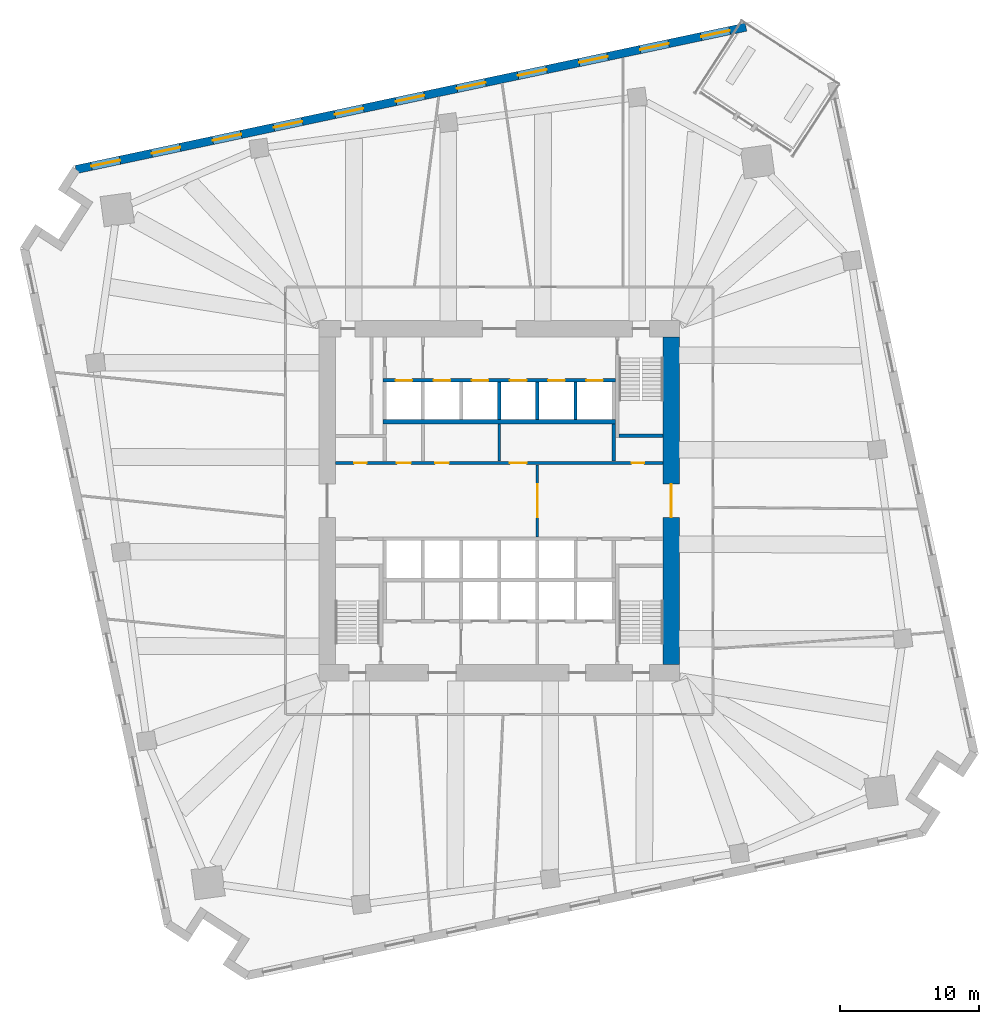
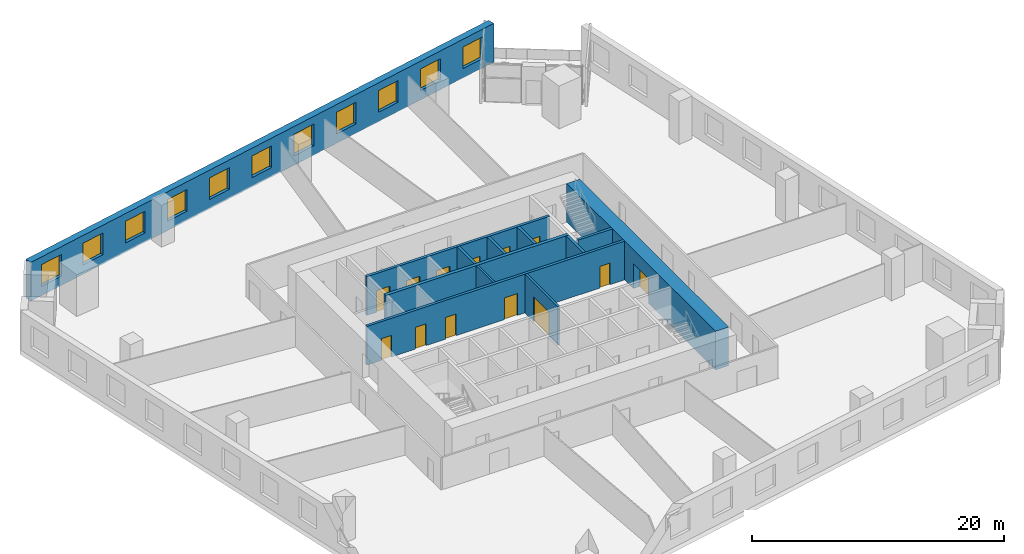
# One storey, part 6 of 10: 13 doors, 12 walls, 11 windows, 24 openings.
"""IFC4 building model written with IfcOpenShell, lengths in metres."""

from ifc_helpers import new_model, si_unit, direction, frame, frame_2d, origin, place, context, subcontext, project, spatial, rectangle, extrude, material, layer, layer_set, type_object, element, fill, save


model = new_model("IFC4")

# Units and contexts
model_context = context("Model", 3, precision=1e-05, world=origin(), true_north=direction((0.0, 1.0)))
body_context = subcontext(model_context, "Body", "Model", "MODEL_VIEW")
ifc_project = project(units=[si_unit("LENGTHUNIT", "METRE"), si_unit("AREAUNIT", "SQUARE_METRE"), si_unit("VOLUMEUNIT", "CUBIC_METRE"), si_unit("PLANEANGLEUNIT", "RADIAN"), si_unit("MASSUNIT", "GRAM", prefix="KILO")], contexts=[model_context])

# Site, building, storey
site_placement = place(None, origin())
site = spatial("IfcSite", under=ifc_project, at=site_placement, CompositionType="ELEMENT")
building_placement = place(site_placement, origin())
building = spatial("IfcBuilding", under=site, at=building_placement, Name="Dilmun Exchange Tower", CompositionType="ELEMENT")
storey_placement = place(building_placement, frame((0.0, 0.0, 68.10009765625)))
storey = spatial("IfcBuildingStorey", under=building, at=storey_placement, Name="L15", CompositionType="ELEMENT", Elevation=68.10009765625)

# Wall, opening, door
ifc_material_1 = material(Name="Concrete C40/50", Category="concrete")
ifc_layer_1 = layer(ifc_material_1, 0.199951171875)
ifc_layer_set_1 = layer_set([ifc_layer_1], Name="Concrete C40/50")
wall_type_1 = type_object("IfcWallType", Name="Core partition wall 200", PredefinedType="PARTITIONING", material=ifc_layer_set_1)
wall_1_placement = place(storey_placement, frame((2.75, -2.594970703125, 0.0), z_axis=(0.0, 0.0, 1.0), x_axis=(0.0, 1.0, 0.0)))
wall_1 = element("IfcWall", 1, at=wall_1_placement, inside=storey, type_object=wall_type_1, Name="L15 core partition wall 09", PredefinedType="PARTITIONING", context=body_context, shape_type="SweptSolid", body=[
    extrude(rectangle(XDim=5.18994140625, YDim=0.199951171875, at=frame_2d((2.594970703125, 0.0))), origin(), (0.0, 0.0, 1.0), 3.75),
])
opening_1_placement = place(wall_1_placement, frame((1.39501953125, 0.0, 0.0)))
opening_1 = element("IfcOpeningElement", 2, at=opening_1_placement, cuts=wall_1, Name="Opening CD1", PredefinedType="OPENING", context=body_context, shape_type="SweptSolid", body=[
    extrude(rectangle(XDim=2.39990234375, YDim=2.39990234375, at=frame_2d((1.199951171875, 1.199951171875))), frame((0.0, 0.10986328125, 0.0), z_axis=(0.0, -1.0, 0.0), x_axis=(1.0, 0.0, 0.0)), (0.0, 0.0, 1.0), 0.219970703125),
])
ifc_material_2 = material(Name="Fire-rated steel door set", Category="steel")
door_type_1 = type_object("IfcDoorType", Name="Core lobby door 2400x2400", OperationType="DOUBLE_DOOR_DOUBLE_SWING", PredefinedType="DOOR", material=ifc_material_2)
door_1_placement = place(opening_1_placement, origin())
door_1 = element("IfcDoor", 3, at=door_1_placement, inside=storey, type_object=door_type_1, Name="L15 door Lift lobby east", OperationType="DOUBLE_DOOR_DOUBLE_SWING", OverallHeight=2.39990234375, OverallWidth=2.39990234375, PredefinedType="DOOR", context=body_context, shape_type="SweptSolid", body=[
    extrude(rectangle(XDim=2.39990234375, YDim=2.39990234375, at=frame_2d((1.199951171875, 1.199951171875))), frame((0.0, 0.02490234375, 0.0), z_axis=(0.0, -1.0, 0.0), x_axis=(1.0, 0.0, 0.0)), (0.0, 0.0, 1.0), 0.050048828125),
])
fill(opening_1, door_1)

# Wall
wall_2_placement = place(storey_placement, frame((0.0, 2.85498046875, 0.0), z_axis=(0.0, 0.0, 1.0), x_axis=(0.0, 1.0, 0.0)))
element("IfcWall", 4, at=wall_2_placement, inside=storey, type_object=wall_type_1, Name="L15 core partition wall 13", PredefinedType="PARTITIONING", context=body_context, shape_type="SweptSolid", body=[
    extrude(rectangle(XDim=2.68994140625, YDim=0.199951171875, at=frame_2d((1.344970703125, 0.0))), origin(), (0.0, 0.0, 1.0), 3.75),
])

# Wall, openings, doors
ifc_layer_2 = layer(ifc_material_1, 0.25)
ifc_layer_set_2 = layer_set([ifc_layer_2], Name="Concrete C40/50")
wall_type_2 = type_object("IfcWallType", Name="Core partition wall 250", PredefinedType="PARTITIONING", material=ifc_layer_set_2)
wall_3_placement = place(storey_placement, frame((-11.794921875, 2.72509765625, 0.0), z_axis=(0.0, 0.0, 1.0), x_axis=(1.0, 0.0, 0.0)))
wall_3 = element("IfcWall", 5, at=wall_3_placement, inside=storey, type_object=wall_type_2, Name="L15 core partition wall 10", PredefinedType="PARTITIONING", context=body_context, shape_type="SweptSolid", body=[
    extrude(rectangle(XDim=23.58984375, YDim=0.25, at=frame_2d((11.794921875, 0.0))), origin(), (0.0, 0.0, 1.0), 3.75),
])
opening_2_placement = place(wall_3_placement, frame((21.344970703125, 0.0, 0.0)))
opening_2 = element("IfcOpeningElement", 6, at=opening_2_placement, cuts=wall_3, Name="Opening CD6", PredefinedType="OPENING", context=body_context, shape_type="SweptSolid", body=[
    extrude(rectangle(XDim=0.89990234375, YDim=2.10009765625, at=frame_2d((0.449951171875, 1.050048828125))), frame((0.0, 0.135009765625, 0.0), z_axis=(0.0, -1.0, 0.0), x_axis=(1.0, 0.0, 0.0)), (0.0, 0.0, 1.0), 0.27001953125),
])
opening_3_placement = place(wall_3_placement, frame((1.344970703125, 0.0, 0.0)))
opening_3 = element("IfcOpeningElement", 7, at=opening_3_placement, cuts=wall_3, Name="Opening CD6", PredefinedType="OPENING", context=body_context, shape_type="SweptSolid", body=[
    extrude(rectangle(XDim=0.89990234375, YDim=2.10009765625, at=frame_2d((0.449951171875, 1.050048828125))), frame((0.0, 0.135009765625, 0.0), z_axis=(0.0, -1.0, 0.0), x_axis=(1.0, 0.0, 0.0)), (0.0, 0.0, 1.0), 0.27001953125),
])
opening_4_placement = place(wall_3_placement, frame((4.419921875, 0.0, 0.0)))
opening_4 = element("IfcOpeningElement", 8, at=opening_4_placement, cuts=wall_3, Name="Opening CD4", PredefinedType="OPENING", context=body_context, shape_type="SweptSolid", body=[
    extrude(rectangle(XDim=1.0, YDim=2.10009765625, at=frame_2d((0.5, 1.050048828125))), frame((0.0, 0.135009765625, 0.0), z_axis=(0.0, -1.0, 0.0), x_axis=(1.0, 0.0, 0.0)), (0.0, 0.0, 1.0), 0.27001953125),
])
opening_5_placement = place(wall_3_placement, frame((7.169921875, 0.0, 0.0)))
opening_5 = element("IfcOpeningElement", 9, at=opening_5_placement, cuts=wall_3, Name="Opening CD4", PredefinedType="OPENING", context=body_context, shape_type="SweptSolid", body=[
    extrude(rectangle(XDim=1.0, YDim=2.10009765625, at=frame_2d((0.5, 1.050048828125))), frame((0.0, 0.135009765625, 0.0), z_axis=(0.0, -1.0, 0.0), x_axis=(1.0, 0.0, 0.0)), (0.0, 0.0, 1.0), 0.27001953125),
])
opening_6_placement = place(wall_3_placement, frame((12.570068359375, 0.0, 0.0)))
opening_6 = element("IfcOpeningElement", 10, at=opening_6_placement, cuts=wall_3, Name="Opening CD3", PredefinedType="OPENING", context=body_context, shape_type="SweptSolid", body=[
    extrude(rectangle(XDim=1.199951171875, YDim=2.10009765625, at=frame_2d((0.60009765625, 1.050048828125))), frame((0.0, 0.135009765625, 0.0), z_axis=(0.0, -1.0, 0.0), x_axis=(1.0, 0.0, 0.0)), (0.0, 0.0, 1.0), 0.27001953125),
])
door_type_2 = type_object("IfcDoorType", Name="Core room door 1000x2100", OperationType="SINGLE_SWING_LEFT", PredefinedType="DOOR", material=ifc_material_2)
door_2_placement = place(opening_4_placement, origin())
door_2 = element("IfcDoor", 11, at=door_2_placement, inside=storey, type_object=door_type_2, Name="L15 door Pantry", OperationType="SINGLE_SWING_RIGHT", OverallHeight=2.10009765625, OverallWidth=1.0, PredefinedType="DOOR", context=body_context, shape_type="SweptSolid", body=[
    extrude(rectangle(XDim=1.0, YDim=2.10009765625, at=frame_2d((0.5, 1.050048828125))), frame((0.0, 0.02490234375, 0.0), z_axis=(0.0, -1.0, 0.0), x_axis=(1.0, 0.0, 0.0)), (0.0, 0.0, 1.0), 0.050048828125),
])
fill(opening_4, door_2)
door_3_placement = place(opening_5_placement, origin())
door_3 = element("IfcDoor", 12, at=door_3_placement, inside=storey, type_object=door_type_2, Name="L15 door Switch room", OperationType="SINGLE_SWING_RIGHT", OverallHeight=2.10009765625, OverallWidth=1.0, PredefinedType="DOOR", context=body_context, shape_type="SweptSolid", body=[
    extrude(rectangle(XDim=1.0, YDim=2.10009765625, at=frame_2d((0.5, 1.050048828125))), frame((0.0, 0.02490234375, 0.0), z_axis=(0.0, -1.0, 0.0), x_axis=(1.0, 0.0, 0.0)), (0.0, 0.0, 1.0), 0.050048828125),
])
fill(opening_5, door_3)
door_type_3 = type_object("IfcDoorType", Name="Core room door 900x2100", OperationType="SINGLE_SWING_LEFT", PredefinedType="DOOR", material=ifc_material_2)
door_4_placement = place(opening_2_placement, origin())
door_4 = element("IfcDoor", 13, at=door_4_placement, inside=storey, type_object=door_type_3, Name="L15 door Electrical riser", OperationType="SINGLE_SWING_RIGHT", OverallHeight=2.10009765625, OverallWidth=0.89990234375, PredefinedType="DOOR", context=body_context, shape_type="SweptSolid", body=[
    extrude(rectangle(XDim=0.89990234375, YDim=2.10009765625, at=frame_2d((0.449951171875, 1.050048828125))), frame((0.0, 0.02490234375, 0.0), z_axis=(0.0, -1.0, 0.0), x_axis=(1.0, 0.0, 0.0)), (0.0, 0.0, 1.0), 0.050048828125),
])
fill(opening_2, door_4)
door_5_placement = place(opening_3_placement, origin())
door_5 = element("IfcDoor", 14, at=door_5_placement, inside=storey, type_object=door_type_3, Name="L15 door Plumbing riser", OperationType="SINGLE_SWING_RIGHT", OverallHeight=2.10009765625, OverallWidth=0.89990234375, PredefinedType="DOOR", context=body_context, shape_type="SweptSolid", body=[
    extrude(rectangle(XDim=0.89990234375, YDim=2.10009765625, at=frame_2d((0.449951171875, 1.050048828125))), frame((0.0, 0.02490234375, 0.0), z_axis=(0.0, -1.0, 0.0), x_axis=(1.0, 0.0, 0.0)), (0.0, 0.0, 1.0), 0.050048828125),
])
fill(opening_3, door_5)
door_type_4 = type_object("IfcDoorType", Name="Stair exit door 1200x2100", OperationType="SINGLE_SWING_LEFT", PredefinedType="DOOR", material=ifc_material_2)
door_6_placement = place(opening_6_placement, origin())
door_6 = element("IfcDoor", 15, at=door_6_placement, inside=storey, type_object=door_type_4, Name="L15 door Quiet working room", OperationType="SINGLE_SWING_LEFT", OverallHeight=2.10009765625, OverallWidth=1.199951171875, PredefinedType="DOOR", context=body_context, shape_type="SweptSolid", body=[
    extrude(rectangle(XDim=1.199951171875, YDim=2.10009765625, at=frame_2d((0.60009765625, 1.050048828125))), frame((0.0, 0.02490234375, 0.0), z_axis=(0.0, -1.0, 0.0), x_axis=(1.0, 0.0, 0.0)), (0.0, 0.0, 1.0), 0.050048828125),
])
fill(opening_6, door_6)

# Wall
wall_4_placement = place(storey_placement, frame((8.25, 2.85498046875, 0.0), z_axis=(0.0, 0.0, 1.0), x_axis=(0.0, 1.0, 0.0)))
element("IfcWall", 16, at=wall_4_placement, inside=storey, type_object=wall_type_2, Name="L15 core partition wall 14", PredefinedType="PARTITIONING", context=body_context, shape_type="SweptSolid", body=[
    extrude(rectangle(XDim=2.68994140625, YDim=0.25, at=frame_2d((1.344970703125, 0.0))), origin(), (0.0, 0.0, 1.0), 3.75),
])

# Wall, opening, door
ifc_material_3 = material(Name="Concrete C80/95", Category="concrete")
ifc_layer_3 = layer(ifc_material_3, 1.199951171875)
ifc_layer_set_3 = layer_set([ifc_layer_3], Name="Concrete C80/95")
wall_type_3 = type_object("IfcWallType", Name="Core shear wall 1200 Concrete C80/95", PredefinedType="SHEAR", material=ifc_layer_set_3)
wall_5_placement = place(storey_placement, frame((12.39990234375, -11.800048828125, 0.0), z_axis=(0.0, 0.0, 1.0), x_axis=(0.0, 1.0, 0.0)))
wall_5 = element("IfcWall", 17, at=wall_5_placement, inside=storey, type_object=wall_type_3, Name="L15 core shear wall E", PredefinedType="SHEAR", context=body_context, shape_type="SweptSolid", body=[
    extrude(rectangle(XDim=23.60009765625, YDim=1.199951171875, at=frame_2d((11.800048828125, 0.0))), origin(), (0.0, 0.0, 1.0), 3.75),
])
opening_7_placement = place(wall_5_placement, frame((10.60009765625, 0.0, 0.0)))
opening_7 = element("IfcOpeningElement", 18, at=opening_7_placement, cuts=wall_5, Name="Opening CD1", PredefinedType="OPENING", context=body_context, shape_type="SweptSolid", body=[
    extrude(rectangle(XDim=2.39990234375, YDim=2.39990234375, at=frame_2d((1.199951171875, 1.199951171875))), frame((0.0, 0.60986328125, 0.0), z_axis=(0.0, -1.0, 0.0), x_axis=(1.0, 0.0, 0.0)), (0.0, 0.0, 1.0), 1.219970703125),
])
door_7_placement = place(opening_7_placement, origin())
door_7 = element("IfcDoor", 19, at=door_7_placement, inside=storey, type_object=door_type_1, Name="L15 door Central lift lobby", OperationType="SINGLE_SWING_LEFT", OverallHeight=2.39990234375, OverallWidth=2.39990234375, PredefinedType="DOOR", context=body_context, shape_type="SweptSolid", body=[
    extrude(rectangle(XDim=2.39990234375, YDim=2.39990234375, at=frame_2d((1.199951171875, 1.199951171875))), frame((0.0, 0.02490234375, 0.0), z_axis=(0.0, -1.0, 0.0), x_axis=(1.0, 0.0, 0.0)), (0.0, 0.0, 1.0), 0.050048828125),
])
fill(opening_7, door_7)

# Wall
ifc_layer_4 = layer(ifc_material_1, 0.300048828125)
ifc_layer_set_4 = layer_set([ifc_layer_4], Name="Concrete C40/50")
wall_type_4 = type_object("IfcWallType", Name="Lift shaft shared wall 300", PredefinedType="SOLIDWALL", material=ifc_layer_set_4)
wall_6_placement = place(storey_placement, frame((-8.375, 5.699951171875, 0.0), z_axis=(0.0, 0.0, 1.0), x_axis=(1.0, 0.0, 0.0)))
element("IfcWall", 20, at=wall_6_placement, inside=storey, type_object=wall_type_4, Name="L15 lift shaft rear wall N", PredefinedType="SOLIDWALL", context=body_context, shape_type="SweptSolid", body=[
    extrude(rectangle(XDim=16.75, YDim=0.300048828125, at=frame_2d((8.375, 0.0))), origin(), (0.0, 0.0, 1.0), 3.75),
])

# Wall, openings, doors
ifc_layer_5 = layer(ifc_material_1, 0.25)
ifc_layer_set_5 = layer_set([ifc_layer_5], Name="Concrete C40/50")
wall_type_5 = type_object("IfcWallType", Name="Lift shaft wall 250", PredefinedType="SOLIDWALL", material=ifc_layer_set_5)
wall_7_placement = place(storey_placement, frame((-8.375, 8.675048828125, 0.0), z_axis=(0.0, 0.0, 1.0), x_axis=(1.0, 0.0, 0.0)))
wall_7 = element("IfcWall", 21, at=wall_7_placement, inside=storey, type_object=wall_type_5, Name="L15 lift shaft front wall N2", PredefinedType="SOLIDWALL", context=body_context, shape_type="SweptSolid", body=[
    extrude(rectangle(XDim=16.75, YDim=0.25, at=frame_2d((8.375, 0.0))), origin(), (0.0, 0.0, 1.0), 3.75),
])
opening_8_placement = place(wall_7_placement, frame((0.89990234375, 0.0, 0.0)))
opening_8 = element("IfcOpeningElement", 22, at=opening_8_placement, cuts=wall_7, Name="Opening LD", PredefinedType="OPENING", context=body_context, shape_type="SweptSolid", body=[
    extrude(rectangle(XDim=1.199951171875, YDim=2.10009765625, at=frame_2d((0.60009765625, 1.050048828125))), frame((0.0, 0.135009765625, 0.0), z_axis=(0.0, -1.0, 0.0), x_axis=(1.0, 0.0, 0.0)), (0.0, 0.0, 1.0), 0.27001953125),
])
opening_9_placement = place(wall_7_placement, frame((3.64990234375, 0.0, 0.0)))
opening_9 = element("IfcOpeningElement", 23, at=opening_9_placement, cuts=wall_7, Name="Opening LD", PredefinedType="OPENING", context=body_context, shape_type="SweptSolid", body=[
    extrude(rectangle(XDim=1.199951171875, YDim=2.10009765625, at=frame_2d((0.60009765625, 1.050048828125))), frame((0.0, 0.135009765625, 0.0), z_axis=(0.0, -1.0, 0.0), x_axis=(1.0, 0.0, 0.0)), (0.0, 0.0, 1.0), 0.27001953125),
])
opening_10_placement = place(wall_7_placement, frame((6.39990234375, 0.0, 0.0)))
opening_10 = element("IfcOpeningElement", 24, at=opening_10_placement, cuts=wall_7, Name="Opening LD", PredefinedType="OPENING", context=body_context, shape_type="SweptSolid", body=[
    extrude(rectangle(XDim=1.199951171875, YDim=2.10009765625, at=frame_2d((0.60009765625, 1.050048828125))), frame((0.0, 0.135009765625, 0.0), z_axis=(0.0, -1.0, 0.0), x_axis=(1.0, 0.0, 0.0)), (0.0, 0.0, 1.0), 0.27001953125),
])
opening_11_placement = place(wall_7_placement, frame((9.14990234375, 0.0, 0.0)))
opening_11 = element("IfcOpeningElement", 25, at=opening_11_placement, cuts=wall_7, Name="Opening LD", PredefinedType="OPENING", context=body_context, shape_type="SweptSolid", body=[
    extrude(rectangle(XDim=1.199951171875, YDim=2.10009765625, at=frame_2d((0.60009765625, 1.050048828125))), frame((0.0, 0.135009765625, 0.0), z_axis=(0.0, -1.0, 0.0), x_axis=(1.0, 0.0, 0.0)), (0.0, 0.0, 1.0), 0.27001953125),
])
opening_12_placement = place(wall_7_placement, frame((11.89990234375, 0.0, 0.0)))
opening_12 = element("IfcOpeningElement", 26, at=opening_12_placement, cuts=wall_7, Name="Opening LD", PredefinedType="OPENING", context=body_context, shape_type="SweptSolid", body=[
    extrude(rectangle(XDim=1.199951171875, YDim=2.10009765625, at=frame_2d((0.60009765625, 1.050048828125))), frame((0.0, 0.135009765625, 0.0), z_axis=(0.0, -1.0, 0.0), x_axis=(1.0, 0.0, 0.0)), (0.0, 0.0, 1.0), 0.27001953125),
])
opening_13_placement = place(wall_7_placement, frame((14.64990234375, 0.0, 0.0)))
opening_13 = element("IfcOpeningElement", 27, at=opening_13_placement, cuts=wall_7, Name="Opening LD", PredefinedType="OPENING", context=body_context, shape_type="SweptSolid", body=[
    extrude(rectangle(XDim=1.199951171875, YDim=2.10009765625, at=frame_2d((0.60009765625, 1.050048828125))), frame((0.0, 0.135009765625, 0.0), z_axis=(0.0, -1.0, 0.0), x_axis=(1.0, 0.0, 0.0)), (0.0, 0.0, 1.0), 0.27001953125),
])
door_type_5 = type_object("IfcDoorType", Name="Lift landing door 1200x2100", OperationType="DOUBLE_DOOR_SLIDING", PredefinedType="DOOR", material=ifc_material_2)
door_8_placement = place(opening_8_placement, origin())
door_8 = element("IfcDoor", 28, at=door_8_placement, inside=storey, type_object=door_type_5, Name="L15 landing door LR1", OperationType="DOUBLE_DOOR_SLIDING", OverallHeight=2.10009765625, OverallWidth=1.199951171875, PredefinedType="DOOR", context=body_context, shape_type="SweptSolid", body=[
    extrude(rectangle(XDim=1.199951171875, YDim=2.10009765625, at=frame_2d((0.60009765625, 1.050048828125))), frame((0.0, 0.02490234375, 0.0), z_axis=(0.0, -1.0, 0.0), x_axis=(1.0, 0.0, 0.0)), (0.0, 0.0, 1.0), 0.050048828125),
])
fill(opening_8, door_8)
door_9_placement = place(opening_9_placement, origin())
door_9 = element("IfcDoor", 29, at=door_9_placement, inside=storey, type_object=door_type_5, Name="L15 landing door LR2", OperationType="DOUBLE_DOOR_SLIDING", OverallHeight=2.10009765625, OverallWidth=1.199951171875, PredefinedType="DOOR", context=body_context, shape_type="SweptSolid", body=[
    extrude(rectangle(XDim=1.199951171875, YDim=2.10009765625, at=frame_2d((0.60009765625, 1.050048828125))), frame((0.0, 0.02490234375, 0.0), z_axis=(0.0, -1.0, 0.0), x_axis=(1.0, 0.0, 0.0)), (0.0, 0.0, 1.0), 0.050048828125),
])
fill(opening_9, door_9)
door_10_placement = place(opening_10_placement, origin())
door_10 = element("IfcDoor", 30, at=door_10_placement, inside=storey, type_object=door_type_5, Name="L15 landing door LR3", OperationType="DOUBLE_DOOR_SLIDING", OverallHeight=2.10009765625, OverallWidth=1.199951171875, PredefinedType="DOOR", context=body_context, shape_type="SweptSolid", body=[
    extrude(rectangle(XDim=1.199951171875, YDim=2.10009765625, at=frame_2d((0.60009765625, 1.050048828125))), frame((0.0, 0.02490234375, 0.0), z_axis=(0.0, -1.0, 0.0), x_axis=(1.0, 0.0, 0.0)), (0.0, 0.0, 1.0), 0.050048828125),
])
fill(opening_10, door_10)
door_11_placement = place(opening_11_placement, origin())
door_11 = element("IfcDoor", 31, at=door_11_placement, inside=storey, type_object=door_type_5, Name="L15 landing door LR4", OperationType="DOUBLE_DOOR_SLIDING", OverallHeight=2.10009765625, OverallWidth=1.199951171875, PredefinedType="DOOR", context=body_context, shape_type="SweptSolid", body=[
    extrude(rectangle(XDim=1.199951171875, YDim=2.10009765625, at=frame_2d((0.60009765625, 1.050048828125))), frame((0.0, 0.02490234375, 0.0), z_axis=(0.0, -1.0, 0.0), x_axis=(1.0, 0.0, 0.0)), (0.0, 0.0, 1.0), 0.050048828125),
])
fill(opening_11, door_11)
door_12_placement = place(opening_12_placement, origin())
door_12 = element("IfcDoor", 32, at=door_12_placement, inside=storey, type_object=door_type_5, Name="L15 landing door LR5", OperationType="DOUBLE_DOOR_SLIDING", OverallHeight=2.10009765625, OverallWidth=1.199951171875, PredefinedType="DOOR", context=body_context, shape_type="SweptSolid", body=[
    extrude(rectangle(XDim=1.199951171875, YDim=2.10009765625, at=frame_2d((0.60009765625, 1.050048828125))), frame((0.0, 0.02490234375, 0.0), z_axis=(0.0, -1.0, 0.0), x_axis=(1.0, 0.0, 0.0)), (0.0, 0.0, 1.0), 0.050048828125),
])
fill(opening_12, door_12)
door_13_placement = place(opening_13_placement, origin())
door_13 = element("IfcDoor", 33, at=door_13_placement, inside=storey, type_object=door_type_5, Name="L15 landing door LR6", OperationType="DOUBLE_DOOR_SLIDING", OverallHeight=2.10009765625, OverallWidth=1.199951171875, PredefinedType="DOOR", context=body_context, shape_type="SweptSolid", body=[
    extrude(rectangle(XDim=1.199951171875, YDim=2.10009765625, at=frame_2d((0.60009765625, 1.050048828125))), frame((0.0, 0.02490234375, 0.0), z_axis=(0.0, -1.0, 0.0), x_axis=(1.0, 0.0, 0.0)), (0.0, 0.0, 1.0), 0.050048828125),
])
fill(opening_13, door_13)

# Walls
for number, where, z_axis, x_axis, name in (
    (34, (0.0, 5.85009765625, 0.0), (0.0, 0.0, 1.0), (0.0, 1.0, 0.0), "L15 lift shaft divider N23"),
    (35, (2.75, 5.85009765625, 0.0), (0.0, 0.0, 1.0), (0.0, 1.0, 0.0), "L15 lift shaft divider N24"),
    (36, (5.5, 5.85009765625, 0.0), (0.0, 0.0, 1.0), (0.0, 1.0, 0.0), "L15 lift shaft divider N25"),
):
    element("IfcWall", number, at=place(storey_placement, frame(where, z_axis=z_axis, x_axis=x_axis)), inside=storey, type_object=wall_type_5, Name=name, PredefinedType="SOLIDWALL", context=body_context, shape_type="SweptSolid", body=[
        extrude(rectangle(XDim=2.699951171875, YDim=0.25, at=frame_2d((1.35009765625, 0.0))), origin(), (0.0, 0.0, 1.0), 3.75),
    ])

# Wall, openings, windows
ifc_material_4 = material(Name="Precast concrete C50/60", Category="concrete")
ifc_layer_6 = layer(ifc_material_4, 0.60009765625)
ifc_layer_set_6 = layer_set([ifc_layer_6], Name="Precast concrete C50/60")
wall_type_6 = type_object("IfcWallType", Name="Precast stone-clad wall 600", PredefinedType="STANDARD", material=ifc_layer_set_6)
wall_8_placement = place(storey_placement, frame((17.78955078125, 34.144775390625, 0.0), z_axis=(0.0, 0.0, 1.0), x_axis=(-0.978147175075, -0.207913693376, 0.0)))
wall_8 = element("IfcWall", 37, at=wall_8_placement, inside=storey, type_object=wall_type_6, Name="Facade wall L15-03", PredefinedType="STANDARD", context=body_context, shape_type="SweptSolid", body=[
    extrude(rectangle(XDim=49.375732421875, YDim=0.60009765625, at=frame_2d((24.68798828125, 0.0))), origin(), (0.0, 0.0, 1.0), 3.75),
])
opening_14_placement = place(wall_8_placement, frame((1.199951171875, 0.0, 0.89990234375)))
opening_14 = element("IfcOpeningElement", 38, at=opening_14_placement, cuts=wall_8, Name="Opening W210-210", PredefinedType="OPENING", context=body_context, shape_type="SweptSolid", body=[
    extrude(rectangle(XDim=2.10009765625, YDim=2.10009765625, at=frame_2d((1.050048828125, 1.050048828125))), frame((0.0, 0.31005859375, 0.0), z_axis=(0.0, -1.0, 0.0), x_axis=(1.0, 0.0, 0.0)), (0.0, 0.0, 1.0), 0.6201171875),
])
opening_15_placement = place(wall_8_placement, frame((5.699951171875, 0.0, 0.89990234375)))
opening_15 = element("IfcOpeningElement", 39, at=opening_15_placement, cuts=wall_8, Name="Opening W210-210", PredefinedType="OPENING", context=body_context, shape_type="SweptSolid", body=[
    extrude(rectangle(XDim=2.10009765625, YDim=2.10009765625, at=frame_2d((1.050048828125, 1.050048828125))), frame((0.0, 0.31005859375, 0.0), z_axis=(0.0, -1.0, 0.0), x_axis=(1.0, 0.0, 0.0)), (0.0, 0.0, 1.0), 0.6201171875),
])
opening_16_placement = place(wall_8_placement, frame((10.199951171875, 0.0, 0.89990234375)))
opening_16 = element("IfcOpeningElement", 40, at=opening_16_placement, cuts=wall_8, Name="Opening W210-210", PredefinedType="OPENING", context=body_context, shape_type="SweptSolid", body=[
    extrude(rectangle(XDim=2.10009765625, YDim=2.10009765625, at=frame_2d((1.050048828125, 1.050048828125))), frame((0.0, 0.31005859375, 0.0), z_axis=(0.0, -1.0, 0.0), x_axis=(1.0, 0.0, 0.0)), (0.0, 0.0, 1.0), 0.6201171875),
])
opening_17_placement = place(wall_8_placement, frame((14.699951171875, 0.0, 0.89990234375)))
opening_17 = element("IfcOpeningElement", 41, at=opening_17_placement, cuts=wall_8, Name="Opening W210-210", PredefinedType="OPENING", context=body_context, shape_type="SweptSolid", body=[
    extrude(rectangle(XDim=2.10009765625, YDim=2.10009765625, at=frame_2d((1.050048828125, 1.050048828125))), frame((0.0, 0.31005859375, 0.0), z_axis=(0.0, -1.0, 0.0), x_axis=(1.0, 0.0, 0.0)), (0.0, 0.0, 1.0), 0.6201171875),
])
opening_18_placement = place(wall_8_placement, frame((19.199951171875, 0.0, 0.89990234375)))
opening_18 = element("IfcOpeningElement", 42, at=opening_18_placement, cuts=wall_8, Name="Opening W210-210", PredefinedType="OPENING", context=body_context, shape_type="SweptSolid", body=[
    extrude(rectangle(XDim=2.10009765625, YDim=2.10009765625, at=frame_2d((1.050048828125, 1.050048828125))), frame((0.0, 0.31005859375, 0.0), z_axis=(0.0, -1.0, 0.0), x_axis=(1.0, 0.0, 0.0)), (0.0, 0.0, 1.0), 0.6201171875),
])
opening_19_placement = place(wall_8_placement, frame((23.699951171875, 0.0, 0.89990234375)))
opening_19 = element("IfcOpeningElement", 43, at=opening_19_placement, cuts=wall_8, Name="Opening W210-210", PredefinedType="OPENING", context=body_context, shape_type="SweptSolid", body=[
    extrude(rectangle(XDim=2.10009765625, YDim=2.10009765625, at=frame_2d((1.050048828125, 1.050048828125))), frame((0.0, 0.31005859375, 0.0), z_axis=(0.0, -1.0, 0.0), x_axis=(1.0, 0.0, 0.0)), (0.0, 0.0, 1.0), 0.6201171875),
])
opening_20_placement = place(wall_8_placement, frame((28.199951171875, 0.0, 0.89990234375)))
opening_20 = element("IfcOpeningElement", 44, at=opening_20_placement, cuts=wall_8, Name="Opening W210-210", PredefinedType="OPENING", context=body_context, shape_type="SweptSolid", body=[
    extrude(rectangle(XDim=2.10009765625, YDim=2.10009765625, at=frame_2d((1.050048828125, 1.050048828125))), frame((0.0, 0.31005859375, 0.0), z_axis=(0.0, -1.0, 0.0), x_axis=(1.0, 0.0, 0.0)), (0.0, 0.0, 1.0), 0.6201171875),
])
opening_21_placement = place(wall_8_placement, frame((32.699951171875, 0.0, 0.89990234375)))
opening_21 = element("IfcOpeningElement", 45, at=opening_21_placement, cuts=wall_8, Name="Opening W210-210", PredefinedType="OPENING", context=body_context, shape_type="SweptSolid", body=[
    extrude(rectangle(XDim=2.10009765625, YDim=2.10009765625, at=frame_2d((1.050048828125, 1.050048828125))), frame((0.0, 0.31005859375, 0.0), z_axis=(0.0, -1.0, 0.0), x_axis=(1.0, 0.0, 0.0)), (0.0, 0.0, 1.0), 0.6201171875),
])
opening_22_placement = place(wall_8_placement, frame((37.199951171875, 0.0, 0.89990234375)))
opening_22 = element("IfcOpeningElement", 46, at=opening_22_placement, cuts=wall_8, Name="Opening W210-210", PredefinedType="OPENING", context=body_context, shape_type="SweptSolid", body=[
    extrude(rectangle(XDim=2.10009765625, YDim=2.10009765625, at=frame_2d((1.050048828125, 1.050048828125))), frame((0.0, 0.31005859375, 0.0), z_axis=(0.0, -1.0, 0.0), x_axis=(1.0, 0.0, 0.0)), (0.0, 0.0, 1.0), 0.6201171875),
])
opening_23_placement = place(wall_8_placement, frame((41.699951171875, 0.0, 0.89990234375)))
opening_23 = element("IfcOpeningElement", 47, at=opening_23_placement, cuts=wall_8, Name="Opening W210-210", PredefinedType="OPENING", context=body_context, shape_type="SweptSolid", body=[
    extrude(rectangle(XDim=2.10009765625, YDim=2.10009765625, at=frame_2d((1.050048828125, 1.050048828125))), frame((0.0, 0.31005859375, 0.0), z_axis=(0.0, -1.0, 0.0), x_axis=(1.0, 0.0, 0.0)), (0.0, 0.0, 1.0), 0.6201171875),
])
opening_24_placement = place(wall_8_placement, frame((46.137939453125, 0.0, 0.89990234375)))
opening_24 = element("IfcOpeningElement", 48, at=opening_24_placement, cuts=wall_8, Name="Opening W210-210", PredefinedType="OPENING", context=body_context, shape_type="SweptSolid", body=[
    extrude(rectangle(XDim=2.10009765625, YDim=2.10009765625, at=frame_2d((1.050048828125, 1.050048828125))), frame((0.0, 0.31005859375, 0.0), z_axis=(0.0, -1.0, 0.0), x_axis=(1.0, 0.0, 0.0)), (0.0, 0.0, 1.0), 0.6201171875),
])
ifc_material_5 = material(Name="Clear low-emissivity glass in aluminium frame", Category="aluminium")
window_type = type_object("IfcWindowType", Name="Punched window 2100 x 2100", PartitioningType="DOUBLE_PANEL_VERTICAL", PredefinedType="WINDOW", material=ifc_material_5)
window_1_placement = place(opening_14_placement, origin())
window_1 = element("IfcWindow", 49, at=window_1_placement, inside=storey, type_object=window_type, Name="Window 4.1", OverallHeight=2.10009765625, OverallWidth=2.10009765625, PartitioningType="SINGLE_PANEL", PredefinedType="WINDOW", context=body_context, shape_type="SweptSolid", body=[
    extrude(rectangle(XDim=2.10009765625, YDim=2.10009765625, at=frame_2d((1.050048828125, 1.050048828125))), frame((0.0, 0.030029296875, 0.0), z_axis=(0.0, -1.0, 0.0), x_axis=(1.0, 0.0, 0.0)), (0.0, 0.0, 1.0), 0.06005859375),
])
fill(opening_14, window_1)
window_2_placement = place(opening_15_placement, origin())
window_2 = element("IfcWindow", 50, at=window_2_placement, inside=storey, type_object=window_type, Name="Window 4.2", OverallHeight=2.10009765625, OverallWidth=2.10009765625, PartitioningType="SINGLE_PANEL", PredefinedType="WINDOW", context=body_context, shape_type="SweptSolid", body=[
    extrude(rectangle(XDim=2.10009765625, YDim=2.10009765625, at=frame_2d((1.050048828125, 1.050048828125))), frame((0.0, 0.030029296875, 0.0), z_axis=(0.0, -1.0, 0.0), x_axis=(1.0, 0.0, 0.0)), (0.0, 0.0, 1.0), 0.06005859375),
])
fill(opening_15, window_2)
window_3_placement = place(opening_16_placement, origin())
window_3 = element("IfcWindow", 51, at=window_3_placement, inside=storey, type_object=window_type, Name="Window 4.3", OverallHeight=2.10009765625, OverallWidth=2.10009765625, PartitioningType="SINGLE_PANEL", PredefinedType="WINDOW", context=body_context, shape_type="SweptSolid", body=[
    extrude(rectangle(XDim=2.10009765625, YDim=2.10009765625, at=frame_2d((1.050048828125, 1.050048828125))), frame((0.0, 0.030029296875, 0.0), z_axis=(0.0, -1.0, 0.0), x_axis=(1.0, 0.0, 0.0)), (0.0, 0.0, 1.0), 0.06005859375),
])
fill(opening_16, window_3)
window_4_placement = place(opening_17_placement, origin())
window_4 = element("IfcWindow", 52, at=window_4_placement, inside=storey, type_object=window_type, Name="Window 4.4", OverallHeight=2.10009765625, OverallWidth=2.10009765625, PartitioningType="SINGLE_PANEL", PredefinedType="WINDOW", context=body_context, shape_type="SweptSolid", body=[
    extrude(rectangle(XDim=2.10009765625, YDim=2.10009765625, at=frame_2d((1.050048828125, 1.050048828125))), frame((0.0, 0.030029296875, 0.0), z_axis=(0.0, -1.0, 0.0), x_axis=(1.0, 0.0, 0.0)), (0.0, 0.0, 1.0), 0.06005859375),
])
fill(opening_17, window_4)
window_5_placement = place(opening_18_placement, origin())
window_5 = element("IfcWindow", 53, at=window_5_placement, inside=storey, type_object=window_type, Name="Window 4.5", OverallHeight=2.10009765625, OverallWidth=2.10009765625, PartitioningType="SINGLE_PANEL", PredefinedType="WINDOW", context=body_context, shape_type="SweptSolid", body=[
    extrude(rectangle(XDim=2.10009765625, YDim=2.10009765625, at=frame_2d((1.050048828125, 1.050048828125))), frame((0.0, 0.030029296875, 0.0), z_axis=(0.0, -1.0, 0.0), x_axis=(1.0, 0.0, 0.0)), (0.0, 0.0, 1.0), 0.06005859375),
])
fill(opening_18, window_5)
window_6_placement = place(opening_19_placement, origin())
window_6 = element("IfcWindow", 54, at=window_6_placement, inside=storey, type_object=window_type, Name="Window 4.6", OverallHeight=2.10009765625, OverallWidth=2.10009765625, PartitioningType="SINGLE_PANEL", PredefinedType="WINDOW", context=body_context, shape_type="SweptSolid", body=[
    extrude(rectangle(XDim=2.10009765625, YDim=2.10009765625, at=frame_2d((1.050048828125, 1.050048828125))), frame((0.0, 0.030029296875, 0.0), z_axis=(0.0, -1.0, 0.0), x_axis=(1.0, 0.0, 0.0)), (0.0, 0.0, 1.0), 0.06005859375),
])
fill(opening_19, window_6)
window_7_placement = place(opening_20_placement, origin())
window_7 = element("IfcWindow", 55, at=window_7_placement, inside=storey, type_object=window_type, Name="Window 4.7", OverallHeight=2.10009765625, OverallWidth=2.10009765625, PartitioningType="SINGLE_PANEL", PredefinedType="WINDOW", context=body_context, shape_type="SweptSolid", body=[
    extrude(rectangle(XDim=2.10009765625, YDim=2.10009765625, at=frame_2d((1.050048828125, 1.050048828125))), frame((0.0, 0.030029296875, 0.0), z_axis=(0.0, -1.0, 0.0), x_axis=(1.0, 0.0, 0.0)), (0.0, 0.0, 1.0), 0.06005859375),
])
fill(opening_20, window_7)
window_8_placement = place(opening_21_placement, origin())
window_8 = element("IfcWindow", 56, at=window_8_placement, inside=storey, type_object=window_type, Name="Window 4.8", OverallHeight=2.10009765625, OverallWidth=2.10009765625, PartitioningType="SINGLE_PANEL", PredefinedType="WINDOW", context=body_context, shape_type="SweptSolid", body=[
    extrude(rectangle(XDim=2.10009765625, YDim=2.10009765625, at=frame_2d((1.050048828125, 1.050048828125))), frame((0.0, 0.030029296875, 0.0), z_axis=(0.0, -1.0, 0.0), x_axis=(1.0, 0.0, 0.0)), (0.0, 0.0, 1.0), 0.06005859375),
])
fill(opening_21, window_8)
window_9_placement = place(opening_22_placement, origin())
window_9 = element("IfcWindow", 57, at=window_9_placement, inside=storey, type_object=window_type, Name="Window 4.9", OverallHeight=2.10009765625, OverallWidth=2.10009765625, PartitioningType="SINGLE_PANEL", PredefinedType="WINDOW", context=body_context, shape_type="SweptSolid", body=[
    extrude(rectangle(XDim=2.10009765625, YDim=2.10009765625, at=frame_2d((1.050048828125, 1.050048828125))), frame((0.0, 0.030029296875, 0.0), z_axis=(0.0, -1.0, 0.0), x_axis=(1.0, 0.0, 0.0)), (0.0, 0.0, 1.0), 0.06005859375),
])
fill(opening_22, window_9)
window_10_placement = place(opening_23_placement, origin())
window_10 = element("IfcWindow", 58, at=window_10_placement, inside=storey, type_object=window_type, Name="Window 4.10", OverallHeight=2.10009765625, OverallWidth=2.10009765625, PartitioningType="SINGLE_PANEL", PredefinedType="WINDOW", context=body_context, shape_type="SweptSolid", body=[
    extrude(rectangle(XDim=2.10009765625, YDim=2.10009765625, at=frame_2d((1.050048828125, 1.050048828125))), frame((0.0, 0.030029296875, 0.0), z_axis=(0.0, -1.0, 0.0), x_axis=(1.0, 0.0, 0.0)), (0.0, 0.0, 1.0), 0.06005859375),
])
fill(opening_23, window_10)
window_11_placement = place(opening_24_placement, origin())
window_11 = element("IfcWindow", 59, at=window_11_placement, inside=storey, type_object=window_type, Name="Window 4.11", OverallHeight=2.10009765625, OverallWidth=2.10009765625, PartitioningType="SINGLE_PANEL", PredefinedType="WINDOW", context=body_context, shape_type="SweptSolid", body=[
    extrude(rectangle(XDim=2.10009765625, YDim=2.10009765625, at=frame_2d((1.050048828125, 1.050048828125))), frame((0.0, 0.030029296875, 0.0), z_axis=(0.0, -1.0, 0.0), x_axis=(1.0, 0.0, 0.0)), (0.0, 0.0, 1.0), 0.06005859375),
])
fill(opening_24, window_11)

# Wall
ifc_layer_7 = layer(ifc_material_1, 0.25)
ifc_layer_set_7 = layer_set([ifc_layer_7], Name="Concrete C40/50")
wall_type_7 = type_object("IfcWallType", Name="Stair end wall 250", PredefinedType="SOLIDWALL", material=ifc_layer_set_7)
wall_9_placement = place(storey_placement, frame((8.64990234375, 4.675048828125, 0.0), z_axis=(0.0, 0.0, 1.0), x_axis=(1.0, 0.0, 0.0)))
element("IfcWall", 60, at=wall_9_placement, inside=storey, type_object=wall_type_7, Name="L15 ST1 far wall", PredefinedType="SOLIDWALL", context=body_context, shape_type="SweptSolid", body=[
    extrude(rectangle(XDim=3.150146484375, YDim=0.25, at=frame_2d((1.5751953125, 0.0))), origin(), (0.0, 0.0, 1.0), 3.75),
])

save(model, "model.ifc")
